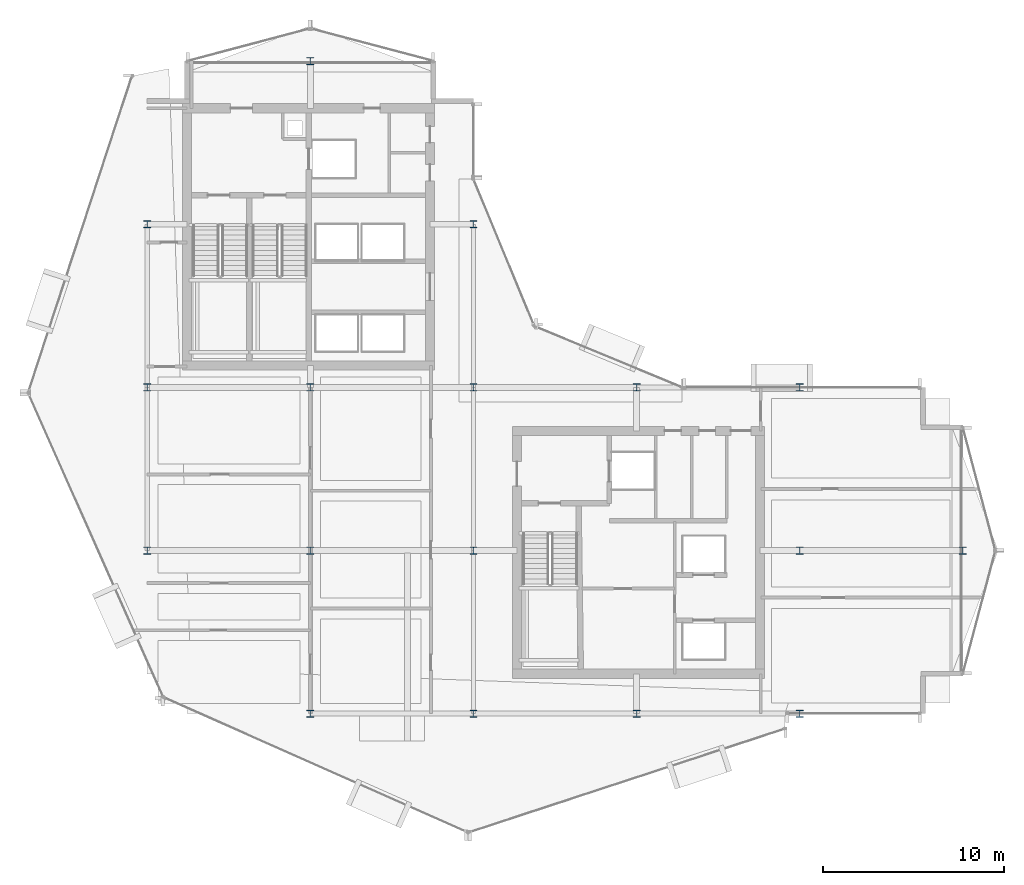
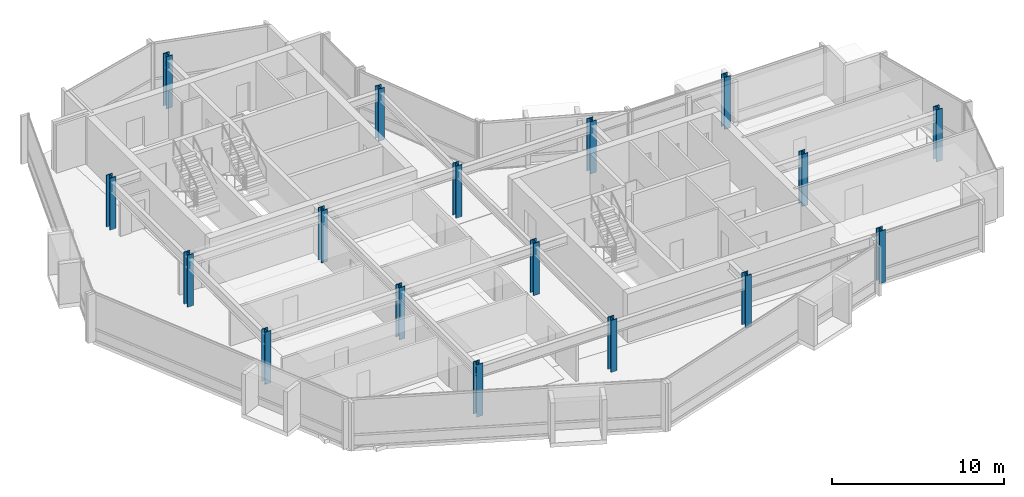
# One storey, part 1 of 27: 17 columns.
"""IFC4 building model written with IfcOpenShell, lengths in metres."""

from ifc_helpers import new_model, si_unit, direction, frame, origin, origin_2d, place, context, subcontext, project, spatial, i_section, extrude, material, material_profile, profile_set, type_object, element, save


model = new_model("IFC4")

# Units and contexts
model_context = context("Model", 3, precision=1e-05, world=origin(), true_north=direction((0.0, 1.0)))
body_context = subcontext(model_context, "Body", "Model", "MODEL_VIEW")
ifc_project = project(units=[si_unit("LENGTHUNIT", "METRE"), si_unit("AREAUNIT", "SQUARE_METRE"), si_unit("VOLUMEUNIT", "CUBIC_METRE"), si_unit("PLANEANGLEUNIT", "RADIAN"), si_unit("MASSUNIT", "GRAM", prefix="KILO")], contexts=[model_context])

# Site, building, storey
site_placement = place(None, origin())
site = spatial("IfcSite", under=ifc_project, at=site_placement, CompositionType="ELEMENT")
building_placement = place(site_placement, origin())
building = spatial("IfcBuilding", under=site, at=building_placement, Name="Solvaryn Broadcast Tower", CompositionType="ELEMENT")
storey_placement = place(building_placement, frame((0.0, 0.0, 174.199951171875)))
storey = spatial("IfcBuildingStorey", under=building, at=storey_placement, Name="L43", CompositionType="ELEMENT", Elevation=174.199951171875)

# Columns
ifc_material_1 = material(Name="Steel ASTM A913 Grade 65", Category="steel")
ifc_material_profile_1 = material_profile(ifc_material_1, i_section(OverallWidth=0.406005859375, OverallDepth=0.416015625, WebThickness=0.02978515625, FlangeThickness=0.048095703125, FilletRadius=0.014892578125, at=origin_2d()))
ifc_profile_set_1 = profile_set([ifc_material_profile_1], Name="Steel ASTM A913 Grade 65")
column_type_1 = type_object("IfcColumnType", Name="COL-C07E-W14X257", PredefinedType="COLUMN", material=ifc_profile_set_1)
for number, where, z_axis, x_axis, name in (
    (1, (9.0, 18.0, 0.0), (0.0, 0.0, 1.0), (1.0, 0.0, 0.0), "L43 Column (9.0, 18.0)"),
    (2, (9.0, 27.0, 0.0), (0.0, 0.0, 1.0), (1.0, 0.0, 0.0), "L43 Column (9.0, 27.0)"),
    (3, (9.0, 36.0, 0.0), (0.0, 0.0, 1.0), (1.0, 0.0, 0.0), "L43 Column (9.0, 36.0)"),
    (4, (18.0, 9.0, 0.0), (0.0, 0.0, 1.0), (1.0, 0.0, 0.0), "L43 Column (18.0, 9.0)"),
    (5, (18.0, 45.0, 0.0), (0.0, 0.0, 1.0), (1.0, 0.0, 0.0), "L43 Column (18.0, 45.0)"),
    (6, (27.0, 9.0, 0.0), (0.0, 0.0, 1.0), (1.0, 0.0, 0.0), "L43 Column (27.0, 9.0)"),
    (7, (27.0, 36.0, 0.0), (0.0, 0.0, 1.0), (1.0, 0.0, 0.0), "L43 Column (27.0, 36.0)"),
    (8, (36.0, 9.0, 0.0), (0.0, 0.0, 1.0), (1.0, 0.0, 0.0), "L43 Column (36.0, 9.0)"),
    (9, (36.0, 27.0, 0.0), (0.0, 0.0, 1.0), (1.0, 0.0, 0.0), "L43 Column (36.0, 27.0)"),
    (10, (45.0, 9.0, 0.0), (0.0, 0.0, 1.0), (1.0, 0.0, 0.0), "L43 Column (45.0, 9.0)"),
    (11, (45.0, 27.0, 0.0), (0.0, 0.0, 1.0), (1.0, 0.0, 0.0), "L43 Column (45.0, 27.0)"),
    (12, (54.0, 18.0, 0.0), (0.0, 0.0, 1.0), (1.0, 0.0, 0.0), "L43 Column (54.0, 18.0)"),
):
    element("IfcColumn", number, at=place(storey_placement, frame(where, z_axis=z_axis, x_axis=x_axis)), inside=storey, type_object=column_type_1, Name=name, PredefinedType="COLUMN", context=body_context, shape_type="SweptSolid", body=[
        extrude(i_section(OverallWidth=0.406005859375, OverallDepth=0.416015625, WebThickness=0.02978515625, FlangeThickness=0.048095703125, FilletRadius=0.014892578125, at=origin_2d()), origin(), (0.0, 0.0, 1.0), 3.699951171875),
    ])
ifc_material_2 = material(Name="Steel ASTM A913 Grade 65", Category="steel")
ifc_material_profile_2 = material_profile(ifc_material_2, i_section(OverallWidth=0.406005859375, OverallDepth=0.416015625, WebThickness=0.02978515625, FlangeThickness=0.048095703125, FilletRadius=0.014892578125, at=origin_2d()))
ifc_profile_set_2 = profile_set([ifc_material_profile_2], Name="Steel ASTM A913 Grade 65")
column_type_2 = type_object("IfcColumnType", Name="COL-C07I-W14X257", PredefinedType="COLUMN", material=ifc_profile_set_2)
for number, where, z_axis, x_axis, name in (
    (13, (18.0, 18.0, 0.0), (0.0, 0.0, 1.0), (1.0, 0.0, 0.0), "L43 Column (18.0, 18.0)"),
    (14, (18.0, 27.0, 0.0), (0.0, 0.0, 1.0), (1.0, 0.0, 0.0), "L43 Column (18.0, 27.0)"),
    (15, (27.0, 18.0, 0.0), (0.0, 0.0, 1.0), (1.0, 0.0, 0.0), "L43 Column (27.0, 18.0)"),
    (16, (27.0, 27.0, 0.0), (0.0, 0.0, 1.0), (1.0, 0.0, 0.0), "L43 Column (27.0, 27.0)"),
    (17, (45.0, 18.0, 0.0), (0.0, 0.0, 1.0), (1.0, 0.0, 0.0), "L43 Column (45.0, 18.0)"),
):
    element("IfcColumn", number, at=place(storey_placement, frame(where, z_axis=z_axis, x_axis=x_axis)), inside=storey, type_object=column_type_2, Name=name, PredefinedType="COLUMN", context=body_context, shape_type="SweptSolid", body=[
        extrude(i_section(OverallWidth=0.406005859375, OverallDepth=0.416015625, WebThickness=0.02978515625, FlangeThickness=0.048095703125, FilletRadius=0.014892578125, at=origin_2d()), origin(), (0.0, 0.0, 1.0), 3.699951171875),
    ])

save(model, "model.ifc")
